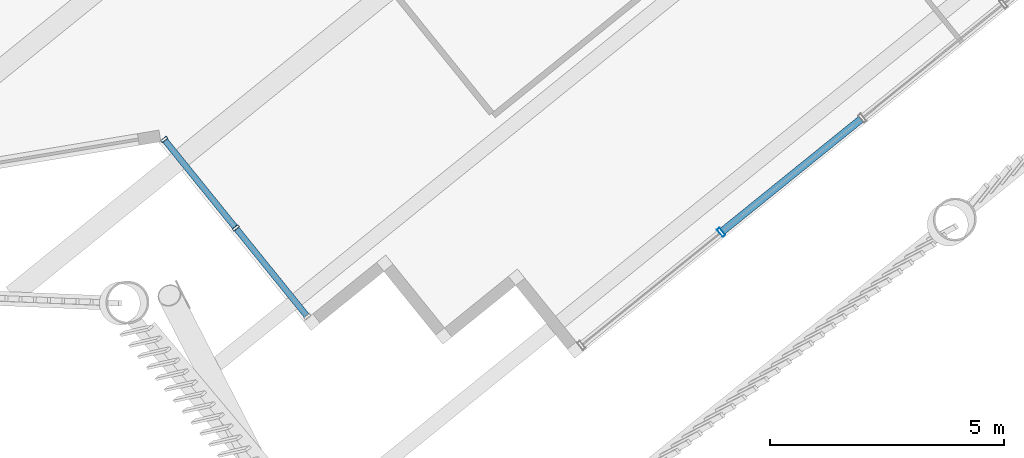
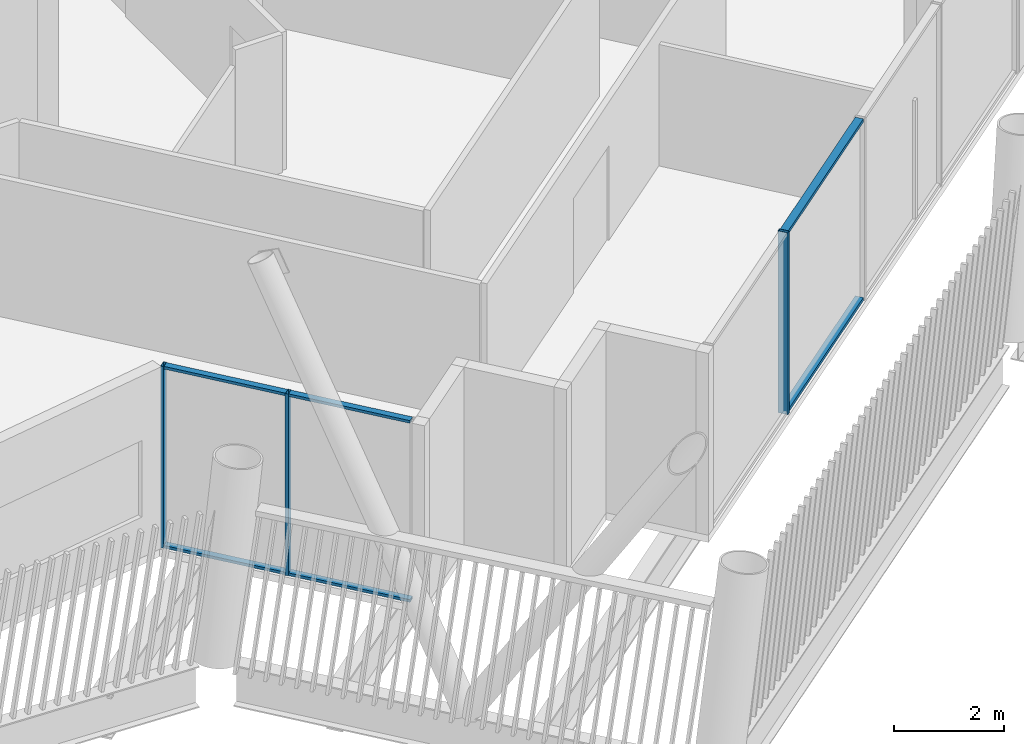
# One storey, part 10 of 36: 9 members, 2 elements without a shape of their own.
"""IFC4 building model written with IfcOpenShell, lengths in metres."""

from ifc_helpers import new_model, si_unit, direction, frame, origin, origin_2d, place, context, subcontext, project, spatial, hollow_rectangle, extrude, material, layer, layer_set, material_profile, profile_set, type_object, element, aggregate, save


model = new_model("IFC4")

# Units and contexts
model_context = context("Model", 3, precision=1e-05, world=origin(), true_north=direction((0.0, 1.0)))
body_context = subcontext(model_context, "Body", "Model", "MODEL_VIEW")
ifc_project = project(units=[si_unit("LENGTHUNIT", "METRE"), si_unit("AREAUNIT", "SQUARE_METRE"), si_unit("VOLUMEUNIT", "CUBIC_METRE"), si_unit("PLANEANGLEUNIT", "RADIAN"), si_unit("MASSUNIT", "GRAM", prefix="KILO")], contexts=[model_context])

# Site, building, storey
site_placement = place(None, origin())
site = spatial("IfcSite", under=ifc_project, at=site_placement, CompositionType="ELEMENT")
building_placement = place(site_placement, origin())
building = spatial("IfcBuilding", under=site, at=building_placement, Name="Tarsis Ring Headquarters", CompositionType="ELEMENT")
storey_placement = place(building_placement, frame((0.0, 0.0, 386.0)))
storey = spatial("IfcBuildingStorey", under=building, at=storey_placement, Name="L91", CompositionType="ELEMENT", Elevation=386.0)

# Curtain wall, member
ifc_material_1 = material(Name="Aluminium curtain wall", Category="aluminium")
ifc_layer_1 = layer(ifc_material_1, 0.199951171875)
ifc_layer_set_1 = layer_set([ifc_layer_1], Name="Curtain wall executive tip")
curtain_wall_type_1 = type_object("IfcCurtainWallType", Name="Curtain wall executive tip", PredefinedType="NOTDEFINED", material=ifc_layer_set_1)
curtain_wall_1_placement = place(storey_placement, origin())
curtain_wall_1 = element("IfcCurtainWall", 1, at=curtain_wall_1_placement, inside=storey, type_object=curtain_wall_type_1, Name="Curtain wall L91-11", PredefinedType="NOTDEFINED")
ifc_material_2 = material(Name="Aluminium mullion", Category="aluminium")
ifc_material_profile_1 = material_profile(ifc_material_2, hollow_rectangle(XDim=0.199951171875, YDim=0.070068359375, WallThickness=0.0048828125, at=origin_2d()), Name="RHS 200x70x5")
ifc_profile_set_1 = profile_set([ifc_material_profile_1], Name="Aluminium mullion")
member_type_1 = type_object("IfcMemberType", Name="Curtain wall mullion executive tip RHS 200x70x5", PredefinedType="MULLION", material=ifc_profile_set_1)
member_1_placement = place(storey_placement, frame((17.029052734375, -27.221923828125, 0.0), z_axis=(0.0, 0.0, 1.0), x_axis=(-0.628777693024, 0.777585116084, 0.0)))
member_1 = element("IfcMember", 2, at=member_1_placement, type_object=member_type_1, Name="CW-E mullion 2", PredefinedType="MULLION", context=body_context, shape_type="SweptSolid", body=[
    extrude(hollow_rectangle(XDim=0.199951171875, YDim=0.070068359375, WallThickness=0.0048828125, at=origin_2d()), origin(), (0.0, 0.0, 1.0), 4.0400390625),
])

# Curtain wall, members
ifc_layer_2 = layer(ifc_material_1, 0.14990234375)
ifc_layer_set_2 = layer_set([ifc_layer_2], Name="Curtain wall tower unit")
curtain_wall_type_2 = type_object("IfcCurtainWallType", Name="Curtain wall tower unit", PredefinedType="NOTDEFINED", material=ifc_layer_set_2)
curtain_wall_2_placement = place(storey_placement, origin())
curtain_wall_2 = element("IfcCurtainWall", 3, at=curtain_wall_2_placement, inside=storey, type_object=curtain_wall_type_2, Name="Curtain wall L91-06", PredefinedType="NOTDEFINED")
ifc_material_profile_2 = material_profile(ifc_material_2, hollow_rectangle(XDim=0.14990234375, YDim=0.06005859375, WallThickness=0.0048828125, at=origin_2d()), Name="RHS 150x60x5")
ifc_profile_set_2 = profile_set([ifc_material_profile_2], Name="Aluminium mullion")
member_type_2 = type_object("IfcMemberType", Name="Curtain wall mullion tower unit RHS 150x60x5", PredefinedType="MULLION", material=ifc_profile_set_2)
member_2_placement = place(storey_placement, frame((5.138671875, -25.24072265625, 0.0), z_axis=(0.0, 0.0, 1.0), x_axis=(0.777585078135, 0.628777739954, 0.0)))
member_2 = element("IfcMember", 4, at=member_2_placement, type_object=member_type_2, Name="CW-T mullion 1", PredefinedType="MULLION", context=body_context, shape_type="SweptSolid", body=[
    extrude(hollow_rectangle(XDim=0.14990234375, YDim=0.06005859375, WallThickness=0.0048828125, at=origin_2d()), origin(), (0.0, 0.0, 1.0), 4.0400390625),
])
member_3_placement = place(storey_placement, frame((6.667236328125, -27.131103515625, 0.0), z_axis=(0.0, 0.0, 1.0), x_axis=(0.777585078135, 0.628777739954, 0.0)))
member_3 = element("IfcMember", 5, at=member_3_placement, type_object=member_type_2, Name="CW-T mullion 2", PredefinedType="MULLION", context=body_context, shape_type="SweptSolid", body=[
    extrude(hollow_rectangle(XDim=0.14990234375, YDim=0.06005859375, WallThickness=0.0048828125, at=origin_2d()), origin(), (0.0, 0.0, 1.0), 4.0400390625),
])

# Member
ifc_material_3 = material(Name="Aluminium transom", Category="aluminium")
ifc_material_profile_3 = material_profile(ifc_material_3, hollow_rectangle(XDim=0.159912109375, YDim=0.070068359375, WallThickness=0.0048828125, at=origin_2d()), Name="RHS 160x70x5")
ifc_profile_set_3 = profile_set([ifc_material_profile_3], Name="Aluminium transom")
member_type_3 = type_object("IfcMemberType", Name="Curtain wall transom executive tip RHS 160x70x5", PredefinedType="USERDEFINED", material=ifc_profile_set_3)
member_4_placement = place(storey_placement, frame((17.056396484375, -27.199951171875, 0.034912109375), z_axis=(0.7776093351, 0.628747741121, 0.0), x_axis=(-0.628747741121, 0.7776093351, 0.0)))
member_4 = element("IfcMember", 6, at=member_4_placement, type_object=member_type_3, Name="CW-E transom 2.1", ObjectType="TRANSOM", PredefinedType="USERDEFINED", context=body_context, shape_type="SweptSolid", body=[
    extrude(hollow_rectangle(XDim=0.159912109375, YDim=0.070068359375, WallThickness=0.0048828125, at=origin_2d()), origin(), (0.0, 0.0, 1.0), 3.804931640625),
])

member_5_placement = place(storey_placement, frame((17.056396484375, -27.199951171875, 4.0048828125), z_axis=(0.7776093351, 0.628747741121, 0.0), x_axis=(-0.628747741121, 0.7776093351, 0.0)))
member_5 = element("IfcMember", 7, at=member_5_placement, type_object=member_type_3, Name="CW-E transom 2.2", ObjectType="TRANSOM", PredefinedType="USERDEFINED", context=body_context, shape_type="SweptSolid", body=[
    extrude(hollow_rectangle(XDim=0.159912109375, YDim=0.070068359375, WallThickness=0.0048828125, at=origin_2d()), origin(), (0.0, 0.0, 1.0), 3.804931640625),
])

aggregate(curtain_wall_1, [member_1, member_4, member_5])

ifc_material_profile_4 = material_profile(ifc_material_3, hollow_rectangle(XDim=0.1298828125, YDim=0.06005859375, WallThickness=0.0048828125, at=origin_2d()), Name="RHS 130x60x5")
ifc_profile_set_4 = profile_set([ifc_material_profile_4], Name="Aluminium transom")
member_type_4 = type_object("IfcMemberType", Name="Curtain wall transom tower unit RHS 130x60x5", PredefinedType="USERDEFINED", material=ifc_profile_set_4)
member_6_placement = place(storey_placement, frame((5.15771484375, -25.26416015625, 0.030029296875), z_axis=(0.628780444257, -0.77758289135, 0.0), x_axis=(0.77758289135, 0.628780444257, 0.0)))
member_6 = element("IfcMember", 8, at=member_6_placement, type_object=member_type_4, Name="CW-T transom 1.1", ObjectType="TRANSOM", PredefinedType="USERDEFINED", context=body_context, shape_type="SweptSolid", body=[
    extrude(hollow_rectangle(XDim=0.1298828125, YDim=0.06005859375, WallThickness=0.0048828125, at=origin_2d()), origin(), (0.0, 0.0, 1.0), 2.370849609375),
])

member_7_placement = place(storey_placement, frame((5.15771484375, -25.26416015625, 4.010009765625), z_axis=(0.628780444257, -0.77758289135, 0.0), x_axis=(0.77758289135, 0.628780444257, 0.0)))
member_7 = element("IfcMember", 9, at=member_7_placement, type_object=member_type_4, Name="CW-T transom 1.2", ObjectType="TRANSOM", PredefinedType="USERDEFINED", context=body_context, shape_type="SweptSolid", body=[
    extrude(hollow_rectangle(XDim=0.1298828125, YDim=0.06005859375, WallThickness=0.0048828125, at=origin_2d()), origin(), (0.0, 0.0, 1.0), 2.370849609375),
])

member_8_placement = place(storey_placement, frame((6.686279296875, -27.154296875, 0.030029296875), z_axis=(0.628730098307, -0.777623600133, 0.0), x_axis=(0.777623600133, 0.628730098307, 0.0)))
member_8 = element("IfcMember", 10, at=member_8_placement, type_object=member_type_4, Name="CW-T transom 2.1", ObjectType="TRANSOM", PredefinedType="USERDEFINED", context=body_context, shape_type="SweptSolid", body=[
    extrude(hollow_rectangle(XDim=0.1298828125, YDim=0.06005859375, WallThickness=0.0048828125, at=origin_2d()), origin(), (0.0, 0.0, 1.0), 2.37109375),
])

member_9_placement = place(storey_placement, frame((6.686279296875, -27.154296875, 4.010009765625), z_axis=(0.628730098307, -0.777623600133, 0.0), x_axis=(0.777623600133, 0.628730098307, 0.0)))
member_9 = element("IfcMember", 11, at=member_9_placement, type_object=member_type_4, Name="CW-T transom 2.2", ObjectType="TRANSOM", PredefinedType="USERDEFINED", context=body_context, shape_type="SweptSolid", body=[
    extrude(hollow_rectangle(XDim=0.1298828125, YDim=0.06005859375, WallThickness=0.0048828125, at=origin_2d()), origin(), (0.0, 0.0, 1.0), 2.37109375),
])

aggregate(curtain_wall_2, [member_2, member_3, member_6, member_7, member_8, member_9])

save(model, "model.ifc")
